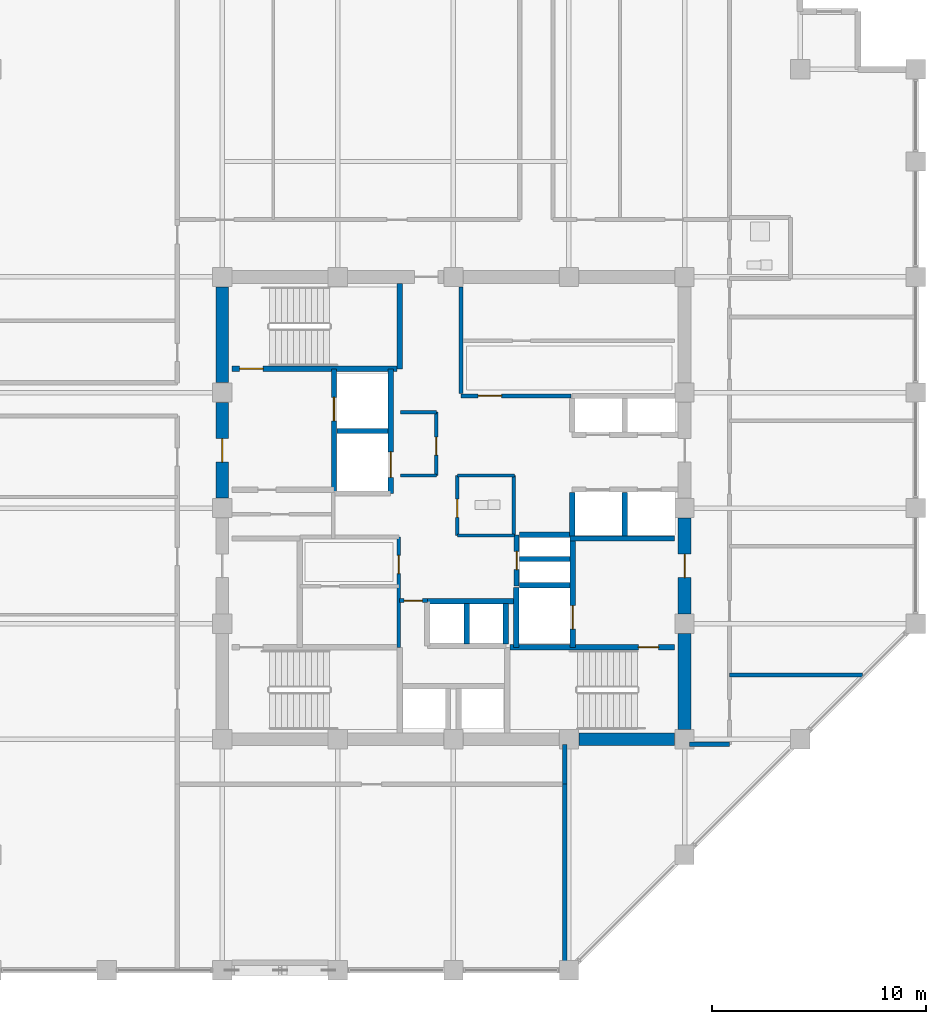
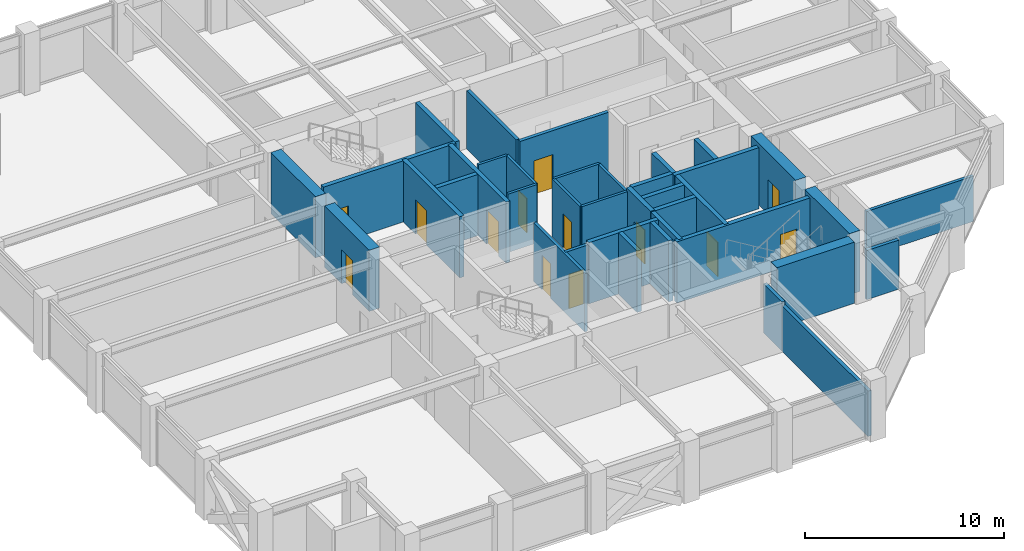
# One storey, part 28 of 32: 38 walls, 13 doors, 13 openings.
"""IFC4 building model written with IfcOpenShell, lengths in metres."""

from ifc_helpers import new_model, si_unit, direction, frame, frame_2d, origin, place, context, subcontext, project, spatial, rectangle, extrude, material, layer, layer_set, type_object, element, fill, save


model = new_model("IFC4")

# Units and contexts
model_context = context("Model", 3, precision=1e-05, world=origin(), true_north=direction((0.0, 1.0)))
body_context = subcontext(model_context, "Body", "Model", "MODEL_VIEW")
ifc_project = project(units=[si_unit("LENGTHUNIT", "METRE"), si_unit("AREAUNIT", "SQUARE_METRE"), si_unit("VOLUMEUNIT", "CUBIC_METRE"), si_unit("PLANEANGLEUNIT", "RADIAN"), si_unit("MASSUNIT", "GRAM", prefix="KILO")], contexts=[model_context])

# Site, building, storey
site_placement = place(None, origin())
site = spatial("IfcSite", under=ifc_project, at=site_placement, CompositionType="ELEMENT")
building_placement = place(site_placement, origin())
building = spatial("IfcBuilding", under=site, at=building_placement, Name="Surkhivell Harbour Commons", CompositionType="ELEMENT")
storey_placement = place(building_placement, frame((0.0, 0.0, 201.0)))
storey = spatial("IfcBuildingStorey", under=building, at=storey_placement, Name="L52", CompositionType="ELEMENT", Elevation=201.0)

# Wall
ifc_material_1 = material(Name="Concrete C60/75", Category="concrete")
ifc_layer_1 = layer(ifc_material_1, 0.60009765625)
ifc_layer_set_1 = layer_set([ifc_layer_1], Name="Concrete C60/75")
wall_type_1 = type_object("IfcWallType", Name="WAL-CORE-600", PredefinedType="SHEAR", material=ifc_layer_set_1)
wall_1_placement = place(storey_placement, frame((10.800048828125, -10.340087890625, 0.0), z_axis=(0.0, 0.0, 1.0), x_axis=(0.0, 1.0, 0.0)))
element("IfcWall", 1, at=wall_1_placement, inside=storey, type_object=wall_type_1, Name="L52 Core Shear Wall East 1", PredefinedType="SHEAR", context=body_context, shape_type="SweptSolid", body=[
    extrude(rectangle(XDim=4.47998046875, YDim=0.60009765625, at=frame_2d((2.239990234375, 0.0))), origin(), (0.0, 0.0, 1.0), 3.75),
])

# Wall, opening, door
wall_2_placement = place(storey_placement, frame((10.800048828125, -4.93994140625, 0.0), z_axis=(0.0, 0.0, 1.0), x_axis=(0.0, 1.0, 0.0)))
wall_2 = element("IfcWall", 2, at=wall_2_placement, inside=storey, type_object=wall_type_1, Name="L52 Core Shear Wall East 2", PredefinedType="SHEAR", context=body_context, shape_type="SweptSolid", body=[
    extrude(rectangle(XDim=4.47998046875, YDim=0.60009765625, at=frame_2d((2.239990234375, 0.0))), origin(), (0.0, 0.0, 1.0), 3.75),
])
opening_1_placement = place(wall_2_placement, frame((1.68994140625, 0.0, 0.0)))
opening_1 = element("IfcOpeningElement", 3, at=opening_1_placement, cuts=wall_2, Name="Opening ID-1", PredefinedType="OPENING", context=body_context, shape_type="SweptSolid", body=[
    extrude(rectangle(XDim=1.10009765625, YDim=2.10009765625, at=frame_2d((0.550048828125, 1.050048828125))), frame((0.0, 0.31005859375, 0.0), z_axis=(0.0, -1.0, 0.0), x_axis=(1.0, 0.0, 0.0)), (0.0, 0.0, 1.0), 0.6201171875),
])
ifc_material_2 = material(Name="Hardwood-veneered fire-rated door leaf", Category="wood")
door_type_1 = type_object("IfcDoorType", Name="DOR-FD120-1100", OperationType="NOTDEFINED", PredefinedType="DOOR", material=ifc_material_2)
door_1_placement = place(opening_1_placement, origin())
door_1 = element("IfcDoor", 4, at=door_1_placement, inside=storey, type_object=door_type_1, Name="L52 Firefighting Lobby 2 Corridor Door", OperationType="SINGLE_SWING_RIGHT", OverallHeight=2.10009765625, OverallWidth=1.10009765625, PredefinedType="DOOR", context=body_context, shape_type="SweptSolid", body=[
    extrude(rectangle(XDim=1.10009765625, YDim=2.10009765625, at=frame_2d((0.550048828125, 1.050048828125))), frame((0.0, 0.02490234375, 0.0), z_axis=(0.0, -1.0, 0.0), x_axis=(1.0, 0.0, 0.0)), (0.0, 0.0, 1.0), 0.050048828125),
])
fill(opening_1, door_1)

wall_3_placement = place(storey_placement, frame((-10.800048828125, 0.4599609375, 0.0), z_axis=(0.0, 0.0, 1.0), x_axis=(0.0, 1.0, 0.0)))
wall_3 = element("IfcWall", 5, at=wall_3_placement, inside=storey, type_object=wall_type_1, Name="L52 Core Shear Wall West 3", PredefinedType="SHEAR", context=body_context, shape_type="SweptSolid", body=[
    extrude(rectangle(XDim=4.47998046875, YDim=0.60009765625, at=frame_2d((2.239990234375, 0.0))), origin(), (0.0, 0.0, 1.0), 3.75),
])
opening_2_placement = place(wall_3_placement, frame((1.68994140625, 0.0, 0.0)))
opening_2 = element("IfcOpeningElement", 6, at=opening_2_placement, cuts=wall_3, Name="Opening ID-1", PredefinedType="OPENING", context=body_context, shape_type="SweptSolid", body=[
    extrude(rectangle(XDim=1.10009765625, YDim=2.10009765625, at=frame_2d((0.550048828125, 1.050048828125))), frame((0.0, 0.31005859375, 0.0), z_axis=(0.0, -1.0, 0.0), x_axis=(1.0, 0.0, 0.0)), (0.0, 0.0, 1.0), 0.6201171875),
])
door_2_placement = place(opening_2_placement, origin())
door_2 = element("IfcDoor", 7, at=door_2_placement, inside=storey, type_object=door_type_1, Name="L52 Firefighting Lobby 1 Corridor Door", OperationType="SINGLE_SWING_LEFT", OverallHeight=2.10009765625, OverallWidth=1.10009765625, PredefinedType="DOOR", context=body_context, shape_type="SweptSolid", body=[
    extrude(rectangle(XDim=1.10009765625, YDim=2.10009765625, at=frame_2d((0.550048828125, 1.050048828125))), frame((0.0, 0.02490234375, 0.0), z_axis=(0.0, -1.0, 0.0), x_axis=(1.0, 0.0, 0.0)), (0.0, 0.0, 1.0), 0.050048828125),
])
fill(opening_2, door_2)

# Walls
for number, where, z_axis, x_axis, name in (
    (8, (5.860107421875, -10.800048828125, 0.0), (0.0, 0.0, 1.0), (1.0, 0.0, 0.0), "L52 Core Shear Wall South 4"),
    (9, (-10.800048828125, 5.860107421875, 0.0), (0.0, 0.0, 1.0), (0.0, 1.0, 0.0), "L52 Core Shear Wall West 4"),
):
    element("IfcWall", number, at=place(storey_placement, frame(where, z_axis=z_axis, x_axis=x_axis)), inside=storey, type_object=wall_type_1, Name=name, PredefinedType="SHEAR", context=body_context, shape_type="SweptSolid", body=[
        extrude(rectangle(XDim=4.47998046875, YDim=0.60009765625, at=frame_2d((2.239990234375, 0.0))), origin(), (0.0, 0.0, 1.0), 3.75),
    ])
ifc_material_3 = material(Name="Twin-stud acoustic fireboard partition", Category="other")
ifc_layer_2 = layer(ifc_material_3, 0.14990234375)
ifc_layer_set_2 = layer_set([ifc_layer_2], Name="Twin-stud acoustic fireboard partition")
wall_type_2 = type_object("IfcWallType", Name="WAL-INT-150", PredefinedType="PARTITIONING", material=ifc_layer_set_2)
wall_4_placement = place(storey_placement, frame((2.820068359375, -1.25, 0.0), z_axis=(0.0, 0.0, 1.0), x_axis=(0.0, 1.0, 0.0)))
element("IfcWall", 10, at=wall_4_placement, inside=storey, type_object=wall_type_2, Name="L52 Core WC East Wall", PredefinedType="PARTITIONING", context=body_context, shape_type="SweptSolid", body=[
    extrude(rectangle(XDim=2.77001953125, YDim=0.14990234375, at=frame_2d((1.385009765625, 0.0))), origin(), (0.0, 0.0, 1.0), 3.570068359375),
])
for number, where, z_axis, x_axis, name in (
    (11, (0.179931640625, 1.52001953125, 0.0), (0.0, 0.0, 1.0), (1.0, 0.0, 0.0), "L52 Core WC North Wall"),
    (12, (0.179931640625, -1.280029296875, 0.0), (0.0, 0.0, 1.0), (1.0, 0.0, 0.0), "L52 Core WC South Wall"),
):
    element("IfcWall", number, at=place(storey_placement, frame(where, z_axis=z_axis, x_axis=x_axis)), inside=storey, type_object=wall_type_2, Name=name, PredefinedType="PARTITIONING", context=body_context, shape_type="SweptSolid", body=[
        extrude(rectangle(XDim=2.670166015625, YDim=0.14990234375, at=frame_2d((1.3349609375, 0.0))), origin(), (0.0, 0.0, 1.0), 3.570068359375),
    ])

# Wall, opening, door
wall_5_placement = place(storey_placement, frame((0.179931640625, -1.280029296875, 0.0), z_axis=(0.0, 0.0, 1.0), x_axis=(0.0, 1.0, 0.0)))
wall_5 = element("IfcWall", 13, at=wall_5_placement, inside=storey, type_object=wall_type_2, Name="L52 Core Accessible WC West Wall", PredefinedType="PARTITIONING", context=body_context, shape_type="SweptSolid", body=[
    extrude(rectangle(XDim=2.800048828125, YDim=0.14990234375, at=frame_2d((1.39990234375, 0.0))), origin(), (0.0, 0.0, 1.0), 3.570068359375),
])
opening_3_placement = place(wall_5_placement, frame((0.85009765625, 0.0, 0.0)))
opening_3 = element("IfcOpeningElement", 14, at=opening_3_placement, cuts=wall_5, Name="Opening ID-6", PredefinedType="OPENING", context=body_context, shape_type="SweptSolid", body=[
    extrude(rectangle(XDim=0.85009765625, YDim=2.10009765625, at=frame_2d((0.425048828125, 1.050048828125))), frame((0.0, 0.0849609375, 0.0), z_axis=(0.0, -1.0, 0.0), x_axis=(1.0, 0.0, 0.0)), (0.0, 0.0, 1.0), 0.169921875),
])
door_type_2 = type_object("IfcDoorType", Name="DOR-FD30-850", OperationType="NOTDEFINED", PredefinedType="DOOR", material=ifc_material_2)
door_3_placement = place(opening_3_placement, origin())
door_3 = element("IfcDoor", 15, at=door_3_placement, inside=storey, type_object=door_type_2, Name="L52 Floor Accessible WC Door", OperationType="SINGLE_SWING_RIGHT", OverallHeight=2.10009765625, OverallWidth=0.85009765625, PredefinedType="DOOR", context=body_context, shape_type="SweptSolid", body=[
    extrude(rectangle(XDim=0.85009765625, YDim=2.10009765625, at=frame_2d((0.425048828125, 1.050048828125))), frame((0.0, 0.02490234375, 0.0), z_axis=(0.0, -1.0, 0.0), x_axis=(1.0, 0.0, 0.0)), (0.0, 0.0, 1.0), 0.050048828125),
])
fill(opening_3, door_3)

wall_6_placement = place(storey_placement, frame((-0.800048828125, 1.52001953125, 0.0), z_axis=(0.0, 0.0, 1.0), x_axis=(0.0, 1.0, 0.0)))
wall_6 = element("IfcWall", 16, at=wall_6_placement, inside=storey, type_object=wall_type_2, Name="L52 Core Seminar East Wall", PredefinedType="PARTITIONING", context=body_context, shape_type="SweptSolid", body=[
    extrude(rectangle(XDim=2.9599609375, YDim=0.14990234375, at=frame_2d((1.47998046875, 0.0))), origin(), (0.0, 0.0, 1.0), 3.570068359375),
])
opening_4_placement = place(wall_6_placement, frame((0.949951171875, 0.0, 0.0)))
opening_4 = element("IfcOpeningElement", 17, at=opening_4_placement, cuts=wall_6, Name="Opening ID-6", PredefinedType="OPENING", context=body_context, shape_type="SweptSolid", body=[
    extrude(rectangle(XDim=0.85009765625, YDim=2.10009765625, at=frame_2d((0.425048828125, 1.050048828125))), frame((0.0, 0.0849609375, 0.0), z_axis=(0.0, -1.0, 0.0), x_axis=(1.0, 0.0, 0.0)), (0.0, 0.0, 1.0), 0.169921875),
])
door_4_placement = place(opening_4_placement, origin())
door_4 = element("IfcDoor", 18, at=door_4_placement, inside=storey, type_object=door_type_2, Name="L52 Central Seminar Door", OperationType="SINGLE_SWING_LEFT", OverallHeight=2.10009765625, OverallWidth=0.85009765625, PredefinedType="DOOR", context=body_context, shape_type="SweptSolid", body=[
    extrude(rectangle(XDim=0.85009765625, YDim=2.10009765625, at=frame_2d((0.425048828125, 1.050048828125))), frame((0.0, 0.02490234375, 0.0), z_axis=(0.0, -1.0, 0.0), x_axis=(1.0, 0.0, 0.0)), (0.0, 0.0, 1.0), 0.050048828125),
])
fill(opening_4, door_4)

# Walls
for number, where, z_axis, x_axis, name in (
    (19, (-2.47998046875, 4.47998046875, 0.0), (0.0, 0.0, 1.0), (1.0, 0.0, 0.0), "L52 Core Seminar North Wall"),
    (20, (-2.47998046875, 1.52001953125, 0.0), (0.0, 0.0, 1.0), (1.0, 0.0, 0.0), "L52 Core Seminar South Wall"),
):
    element("IfcWall", number, at=place(storey_placement, frame(where, z_axis=z_axis, x_axis=x_axis)), inside=storey, type_object=wall_type_2, Name=name, PredefinedType="PARTITIONING", context=body_context, shape_type="SweptSolid", body=[
        extrude(rectangle(XDim=1.679931640625, YDim=0.14990234375, at=frame_2d((0.83984375, 0.0))), origin(), (0.0, 0.0, 1.0), 3.570068359375),
    ])

# Wall, opening, door
ifc_material_4 = material(Name="High-density acoustic blockwork fire partition", Category="masonry")
ifc_layer_3 = layer(ifc_material_4, 0.175048828125)
ifc_layer_set_3 = layer_set([ifc_layer_3], Name="High-density acoustic blockwork fire partition")
wall_type_3 = type_object("IfcWallType", Name="WAL-INT-175", PredefinedType="PARTITIONING", material=ifc_layer_set_3)
wall_7_placement = place(storey_placement, frame((-2.550048828125, -6.510009765625, 0.0), z_axis=(0.0, 0.0, 1.0), x_axis=(0.0, 1.0, 0.0)))
wall_7 = element("IfcWall", 21, at=wall_7_placement, inside=storey, type_object=wall_type_3, Name="L52 Core Service Bay East Wall", PredefinedType="PARTITIONING", context=body_context, shape_type="SweptSolid", body=[
    extrude(rectangle(XDim=5.159912109375, YDim=0.175048828125, at=frame_2d((2.580078125, 0.0))), origin(), (0.0, 0.0, 1.0), 3.570068359375),
])
opening_5_placement = place(wall_7_placement, frame((3.449951171875, 0.0, 0.0)))
opening_5 = element("IfcOpeningElement", 22, at=opening_5_placement, cuts=wall_7, Name="Opening ID-6", PredefinedType="OPENING", context=body_context, shape_type="SweptSolid", body=[
    extrude(rectangle(XDim=0.85009765625, YDim=2.10009765625, at=frame_2d((0.425048828125, 1.050048828125))), frame((0.0, 0.097412109375, 0.0), z_axis=(0.0, -1.0, 0.0), x_axis=(1.0, 0.0, 0.0)), (0.0, 0.0, 1.0), 0.195068359375),
])
door_5_placement = place(opening_5_placement, origin())
door_5 = element("IfcDoor", 23, at=door_5_placement, inside=storey, type_object=door_type_2, Name="L52 Core Seminar Door", OperationType="SINGLE_SWING_LEFT", OverallHeight=2.10009765625, OverallWidth=0.85009765625, PredefinedType="DOOR", context=body_context, shape_type="SweptSolid", body=[
    extrude(rectangle(XDim=0.85009765625, YDim=2.10009765625, at=frame_2d((0.425048828125, 1.050048828125))), frame((0.0, 0.02490234375, 0.0), z_axis=(0.0, -1.0, 0.0), x_axis=(1.0, 0.0, 0.0)), (0.0, 0.0, 1.0), 0.050048828125),
])
fill(opening_5, door_5)

wall_8_placement = place(storey_placement, frame((-2.52001953125, -4.320068359375, 0.0), z_axis=(0.0, 0.0, 1.0), x_axis=(1.0, 0.0, 0.0)))
wall_8 = element("IfcWall", 24, at=wall_8_placement, inside=storey, type_object=wall_type_3, Name="L52 High-Rise Lobby North Portal Wall", PredefinedType="PARTITIONING", context=body_context, shape_type="SweptSolid", body=[
    extrude(rectangle(XDim=1.300048828125, YDim=0.175048828125, at=frame_2d((0.64990234375, 0.0))), origin(), (0.0, 0.0, 1.0), 3.570068359375),
])
opening_6_placement = place(wall_8_placement, frame((0.219970703125, 0.0, 0.0)))
opening_6 = element("IfcOpeningElement", 25, at=opening_6_placement, cuts=wall_8, Name="Opening ID-6", PredefinedType="OPENING", context=body_context, shape_type="SweptSolid", body=[
    extrude(rectangle(XDim=0.85009765625, YDim=2.10009765625, at=frame_2d((0.425048828125, 1.050048828125))), frame((0.0, 0.097412109375, 0.0), z_axis=(0.0, -1.0, 0.0), x_axis=(1.0, 0.0, 0.0)), (0.0, 0.0, 1.0), 0.195068359375),
])
door_6_placement = place(opening_6_placement, origin())
door_6 = element("IfcDoor", 26, at=door_6_placement, inside=storey, type_object=door_type_2, Name="L52 High-Rise Lift Lobby North Door", OperationType="SINGLE_SWING_LEFT", OverallHeight=2.10009765625, OverallWidth=0.85009765625, PredefinedType="DOOR", context=body_context, shape_type="SweptSolid", body=[
    extrude(rectangle(XDim=0.85009765625, YDim=2.10009765625, at=frame_2d((0.425048828125, 1.050048828125))), frame((0.0, 0.02490234375, 0.0), z_axis=(0.0, -1.0, 0.0), x_axis=(1.0, 0.0, 0.0)), (0.0, 0.0, 1.0), 0.050048828125),
])
fill(opening_6, door_6)

# Wall
wall_9_placement = place(storey_placement, frame((12.89990234375, -7.800048828125, 0.0), z_axis=(0.0, 0.0, 1.0), x_axis=(1.0, 0.0, 0.0)))
element("IfcWall", 27, at=wall_9_placement, inside=storey, type_object=wall_type_3, Name="L52 East Partition PBOT", PredefinedType="PARTITIONING", context=body_context, shape_type="SweptSolid", body=[
    extrude(rectangle(XDim=6.21533203125, YDim=0.175048828125, at=frame_2d((3.107666015625, 0.0))), origin(), (0.0, 0.0, 1.0), 2.780029296875),
])

# Wall, opening, door
ifc_material_5 = material(Name="Autoclaved aerated concrete blockwork and fire plaster", Category="masonry")
ifc_layer_4 = layer(ifc_material_5, 0.199951171875)
ifc_layer_set_4 = layer_set([ifc_layer_4], Name="Autoclaved aerated concrete blockwork and fire plaster")
wall_type_4 = type_object("IfcWallType", Name="WAL-INT-200", PredefinedType="PARTITIONING", material=ifc_layer_set_4)
wall_10_placement = place(storey_placement, frame((0.35009765625, 5.239990234375, 0.0), z_axis=(0.0, 0.0, 1.0), x_axis=(1.0, 0.0, 0.0)))
wall_10 = element("IfcWall", 28, at=wall_10_placement, inside=storey, type_object=wall_type_4, Name="L52 Reclaimed Core North Bay South Wall", PredefinedType="PARTITIONING", context=body_context, shape_type="SweptSolid", body=[
    extrude(rectangle(XDim=5.14990234375, YDim=0.199951171875, at=frame_2d((2.574951171875, 0.0))), origin(), (0.0, 0.0, 1.0), 3.570068359375),
])
opening_7_placement = place(wall_10_placement, frame((0.800048828125, 0.0, 0.0)))
opening_7 = element("IfcOpeningElement", 29, at=opening_7_placement, cuts=wall_10, Name="Opening ID-2", PredefinedType="OPENING", context=body_context, shape_type="SweptSolid", body=[
    extrude(rectangle(XDim=1.10009765625, YDim=2.10009765625, at=frame_2d((0.550048828125, 1.050048828125))), frame((0.0, 0.10986328125, 0.0), z_axis=(0.0, -1.0, 0.0), x_axis=(1.0, 0.0, 0.0)), (0.0, 0.0, 1.0), 0.219970703125),
])
door_type_3 = type_object("IfcDoorType", Name="DOR-FD60-1100", OperationType="NOTDEFINED", PredefinedType="DOOR", material=ifc_material_2)
door_7_placement = place(opening_7_placement, origin())
door_7 = element("IfcDoor", 30, at=door_7_placement, inside=storey, type_object=door_type_3, Name="L52 Study Alcove Door", OperationType="SINGLE_SWING_RIGHT", OverallHeight=2.10009765625, OverallWidth=1.10009765625, PredefinedType="DOOR", context=body_context, shape_type="SweptSolid", body=[
    extrude(rectangle(XDim=1.10009765625, YDim=2.10009765625, at=frame_2d((0.550048828125, 1.050048828125))), frame((0.0, 0.02490234375, 0.0), z_axis=(0.0, -1.0, 0.0), x_axis=(1.0, 0.0, 0.0)), (0.0, 0.0, 1.0), 0.050048828125),
])
fill(opening_7, door_7)

# Walls
wall_11_placement = place(storey_placement, frame((0.35009765625, 5.360107421875, 0.0), z_axis=(0.0, 0.0, 1.0), x_axis=(0.0, 1.0, 0.0)))
element("IfcWall", 31, at=wall_11_placement, inside=storey, type_object=wall_type_4, Name="L52 Reclaimed Core North Bay West Wall", PredefinedType="PARTITIONING", context=body_context, shape_type="SweptSolid", body=[
    extrude(rectangle(XDim=4.97998046875, YDim=0.199951171875, at=frame_2d((2.489990234375, 0.0))), origin(), (0.0, 0.0, 1.0), 3.570068359375),
])
wall_12_placement = place(storey_placement, frame((5.199951171875, -21.5400390625, 0.0), z_axis=(0.0, 0.0, 1.0), x_axis=(0.0, 1.0, 0.0)))
element("IfcWall", 32, at=wall_12_placement, inside=storey, type_object=wall_type_4, Name="L52 South-East Corner Wall", PredefinedType="PARTITIONING", context=body_context, shape_type="SweptSolid", body=[
    extrude(rectangle(XDim=8.64013671875, YDim=0.199951171875, at=frame_2d((4.320068359375, 0.0))), origin(), (0.0, 0.0, 1.0), 2.780029296875),
])
for number, where, z_axis, x_axis, name in (
    (33, (11.0400390625, -11.0400390625, 0.0), (0.0, 0.0, 1.0), (1.0, 0.0, 0.0), "L52 Corridor East South Closure Wall"),
    (34, (5.199951171875, -12.89990234375, 0.0), (0.0, 0.0, 1.0), (0.0, 1.0, 0.0), "L52 Corridor South End Wall"),
):
    element("IfcWall", number, at=place(storey_placement, frame(where, z_axis=z_axis, x_axis=x_axis)), inside=storey, type_object=wall_type_4, Name=name, PredefinedType="PARTITIONING", context=body_context, shape_type="SweptSolid", body=[
        extrude(rectangle(XDim=1.85986328125, YDim=0.199951171875, at=frame_2d((0.929931640625, 0.0))), origin(), (0.0, 0.0, 1.0), 3.006103515625),
    ])

# Wall, opening, door
ifc_material_6 = material(Name="Concrete C50/60", Category="concrete")
ifc_layer_5 = layer(ifc_material_6, 0.25)
ifc_layer_set_5 = layer_set([ifc_layer_5], Name="Concrete C50/60")
wall_type_5 = type_object("IfcWallType", Name="WAL-SHAFT-250", PredefinedType="SHEAR", material=ifc_layer_set_5)
wall_13_placement = place(storey_placement, frame((-5.580078125, 0.719970703125, 0.0), z_axis=(0.0, 0.0, 1.0), x_axis=(0.0, 1.0, 0.0)))
wall_13 = element("IfcWall", 35, at=wall_13_placement, inside=storey, type_object=wall_type_5, Name="L52 Firefighting Lobby 1 East Shaft Wall", PredefinedType="SHEAR", context=body_context, shape_type="SweptSolid", body=[
    extrude(rectangle(XDim=5.7900390625, YDim=0.25, at=frame_2d((2.89501953125, 0.0))), origin(), (0.0, 0.0, 1.0), 3.75),
])
opening_8_placement = place(wall_13_placement, frame((3.35009765625, 0.0, 0.0)))
opening_8 = element("IfcOpeningElement", 36, at=opening_8_placement, cuts=wall_13, Name="Opening LD-1", PredefinedType="OPENING", context=body_context, shape_type="SweptSolid", body=[
    extrude(rectangle(XDim=1.10009765625, YDim=2.10009765625, at=frame_2d((0.550048828125, 1.050048828125))), frame((0.0, 0.135009765625, 0.0), z_axis=(0.0, -1.0, 0.0), x_axis=(1.0, 0.0, 0.0)), (0.0, 0.0, 1.0), 0.27001953125),
])
ifc_material_7 = material(Name="Brushed stainless steel S355", Category="steel")
door_type_4 = type_object("IfcDoorType", Name="DOR-LD-1100", OperationType="SLIDING_TO_LEFT", PredefinedType="DOOR", material=ifc_material_7)
door_8_placement = place(opening_8_placement, origin())
door_8 = element("IfcDoor", 37, at=door_8_placement, inside=storey, type_object=door_type_4, Name="L52 Lift Landing Door LD-FFL1", OperationType="SLIDING_TO_LEFT", OverallHeight=2.10009765625, OverallWidth=1.10009765625, PredefinedType="DOOR", context=body_context, shape_type="SweptSolid", body=[
    extrude(rectangle(XDim=1.10009765625, YDim=2.10009765625, at=frame_2d((0.550048828125, 1.050048828125))), frame((0.0, 0.02490234375, 0.0), z_axis=(0.0, -1.0, 0.0), x_axis=(1.0, 0.0, 0.0)), (0.0, 0.0, 1.0), 0.050048828125),
])
fill(opening_8, door_8)

# Walls
wall_14_placement = place(storey_placement, frame((2.929931640625, -6.510009765625, 0.0), z_axis=(0.0, 0.0, 1.0), x_axis=(0.0, 1.0, 0.0)))
element("IfcWall", 38, at=wall_14_placement, inside=storey, type_object=wall_type_5, Name="L52 FFL2 West Shaft Wall", PredefinedType="SHEAR", context=body_context, shape_type="SweptSolid", body=[
    extrude(rectangle(XDim=2.7900390625, YDim=0.25, at=frame_2d((1.39501953125, 0.0))), origin(), (0.0, 0.0, 1.0), 3.75),
])
wall_15_placement = place(storey_placement, frame((5.43994140625, -1.419921875, 0.0), z_axis=(0.0, 0.0, 1.0), x_axis=(1.0, 0.0, 0.0)))
element("IfcWall", 39, at=wall_15_placement, inside=storey, type_object=wall_type_5, Name="L52 Firefighting Lobby 2 North Wall", PredefinedType="SHEAR", context=body_context, shape_type="SweptSolid", body=[
    extrude(rectangle(XDim=4.900146484375, YDim=0.25, at=frame_2d((2.4501953125, 0.0))), origin(), (0.0, 0.0, 1.0), 3.75),
])
wall_16_placement = place(storey_placement, frame((3.080078125, -3.60009765625, 0.0), z_axis=(0.0, 0.0, 1.0), x_axis=(1.0, 0.0, 0.0)))
element("IfcWall", 40, at=wall_16_placement, inside=storey, type_object=wall_type_5, Name="L52 FFL2 North Shaft Wall", PredefinedType="SHEAR", context=body_context, shape_type="SweptSolid", body=[
    extrude(rectangle(XDim=2.369873046875, YDim=0.25, at=frame_2d((1.18505859375, 0.0))), origin(), (0.0, 0.0, 1.0), 3.75),
])

# Wall, opening, door
wall_17_placement = place(storey_placement, frame((5.580078125, -6.510009765625, 0.0), z_axis=(0.0, 0.0, 1.0), x_axis=(0.0, 1.0, 0.0)))
wall_17 = element("IfcWall", 41, at=wall_17_placement, inside=storey, type_object=wall_type_5, Name="L52 Firefighting Lobby 2 West Shaft Wall", PredefinedType="SHEAR", context=body_context, shape_type="SweptSolid", body=[
    extrude(rectangle(XDim=5.090087890625, YDim=0.25, at=frame_2d((2.544921875, 0.0))), origin(), (0.0, 0.0, 1.0), 3.75),
])
opening_9_placement = place(wall_17_placement, frame((0.85009765625, 0.0, 0.0)))
opening_9 = element("IfcOpeningElement", 42, at=opening_9_placement, cuts=wall_17, Name="Opening LD-1", PredefinedType="OPENING", context=body_context, shape_type="SweptSolid", body=[
    extrude(rectangle(XDim=1.10009765625, YDim=2.10009765625, at=frame_2d((0.550048828125, 1.050048828125))), frame((0.0, 0.135009765625, 0.0), z_axis=(0.0, -1.0, 0.0), x_axis=(1.0, 0.0, 0.0)), (0.0, 0.0, 1.0), 0.27001953125),
])
door_9_placement = place(opening_9_placement, origin())
door_9 = element("IfcDoor", 43, at=door_9_placement, inside=storey, type_object=door_type_4, Name="L52 Lift Landing Door LD-FFL2", OperationType="SLIDING_TO_RIGHT", OverallHeight=2.10009765625, OverallWidth=1.10009765625, PredefinedType="DOOR", context=body_context, shape_type="SweptSolid", body=[
    extrude(rectangle(XDim=1.10009765625, YDim=2.10009765625, at=frame_2d((0.550048828125, 1.050048828125))), frame((0.0, 0.02490234375, 0.0), z_axis=(0.0, -1.0, 0.0), x_axis=(1.0, 0.0, 0.0)), (0.0, 0.0, 1.0), 0.050048828125),
])
fill(opening_9, door_9)

# Walls
for number, where, z_axis, x_axis, name in (
    (44, (0.6201171875, -6.340087890625, 0.0), (0.0, 0.0, 1.0), (0.0, 1.0, 0.0), "L52 High-Rise Side Wall N"),
    (45, (2.449951171875, -6.340087890625, 0.0), (0.0, 0.0, 1.0), (0.0, 1.0, 0.0), "L52 High-Rise Side Wall N"),
):
    element("IfcWall", number, at=place(storey_placement, frame(where, z_axis=z_axis, x_axis=x_axis)), inside=storey, type_object=wall_type_5, Name=name, PredefinedType="SHEAR", context=body_context, shape_type="SweptSolid", body=[
        extrude(rectangle(XDim=1.880126953125, YDim=0.25, at=frame_2d((0.93994140625, 0.0))), origin(), (0.0, 0.0, 1.0), 3.75),
    ])
wall_18_placement = place(storey_placement, frame((-1.219970703125, -4.360107421875, 0.0), z_axis=(0.0, 0.0, 1.0), x_axis=(1.0, 0.0, 0.0)))
element("IfcWall", 46, at=wall_18_placement, inside=storey, type_object=wall_type_5, Name="L52 High-Rise North Back Shaft Wall", PredefinedType="SHEAR", context=body_context, shape_type="SweptSolid", body=[
    extrude(rectangle(XDim=4.030029296875, YDim=0.25, at=frame_2d((2.01513671875, 0.0))), origin(), (0.0, 0.0, 1.0), 3.75),
])
for number, where, z_axis, x_axis, name in (
    (47, (5.550048828125, -1.300048828125, 0.0), (0.0, 0.0, 1.0), (0.0, 1.0, 0.0), "L52 Mid-Rise Shaft Side Wall S"),
    (48, (8.0, -1.300048828125, 0.0), (0.0, 0.0, 1.0), (0.0, 1.0, 0.0), "L52 Mid-Rise Shaft Side Wall S"),
):
    element("IfcWall", number, at=place(storey_placement, frame(where, z_axis=z_axis, x_axis=x_axis)), inside=storey, type_object=wall_type_5, Name=name, PredefinedType="SHEAR", context=body_context, shape_type="SweptSolid", body=[
        extrude(rectangle(XDim=2.0400390625, YDim=0.25, at=frame_2d((1.02001953125, 0.0))), origin(), (0.0, 0.0, 1.0), 3.75),
    ])
for number, where, z_axis, x_axis, name in (
    (49, (3.080078125, -2.3798828125, 0.0), (0.0, 0.0, 1.0), (1.0, 0.0, 0.0), "L52 Riser Divider Wall"),
    (50, (3.080078125, -1.25, 0.0), (0.0, 0.0, 1.0), (1.0, 0.0, 0.0), "L52 Riser North Wall"),
):
    element("IfcWall", number, at=place(storey_placement, frame(where, z_axis=z_axis, x_axis=x_axis)), inside=storey, type_object=wall_type_5, Name=name, PredefinedType="SHEAR", context=body_context, shape_type="SweptSolid", body=[
        extrude(rectangle(XDim=2.369873046875, YDim=0.25, at=frame_2d((1.18505859375, 0.0))), origin(), (0.0, 0.0, 1.0), 3.75),
    ])

# Wall, opening, door
wall_19_placement = place(storey_placement, frame((2.949951171875, -3.64990234375, 0.0), z_axis=(0.0, 0.0, 1.0), x_axis=(0.0, 1.0, 0.0)))
wall_19 = element("IfcWall", 51, at=wall_19_placement, inside=storey, type_object=wall_type_5, Name="L52 Riser Shaft West Wall", PredefinedType="SHEAR", context=body_context, shape_type="SweptSolid", body=[
    extrude(rectangle(XDim=2.39990234375, YDim=0.25, at=frame_2d((1.199951171875, 0.0))), origin(), (0.0, 0.0, 1.0), 3.75),
])
opening_10_placement = place(wall_19_placement, frame((0.77490234375, 0.0, 0.0)))
opening_10 = element("IfcOpeningElement", 52, at=opening_10_placement, cuts=wall_19, Name="Opening ID-6", PredefinedType="OPENING", context=body_context, shape_type="SweptSolid", body=[
    extrude(rectangle(XDim=0.85009765625, YDim=2.10009765625, at=frame_2d((0.425048828125, 1.050048828125))), frame((0.0, 0.135009765625, 0.0), z_axis=(0.0, -1.0, 0.0), x_axis=(1.0, 0.0, 0.0)), (0.0, 0.0, 1.0), 0.27001953125),
])
door_10_placement = place(opening_10_placement, origin())
door_10 = element("IfcDoor", 53, at=door_10_placement, inside=storey, type_object=door_type_2, Name="L52 Electrical Riser Access Door", OperationType="SINGLE_SWING_LEFT", OverallHeight=2.10009765625, OverallWidth=0.85009765625, PredefinedType="DOOR", context=body_context, shape_type="SweptSolid", body=[
    extrude(rectangle(XDim=0.85009765625, YDim=2.10009765625, at=frame_2d((0.425048828125, 1.050048828125))), frame((0.0, 0.02490234375, 0.0), z_axis=(0.0, -1.0, 0.0), x_axis=(1.0, 0.0, 0.0)), (0.0, 0.0, 1.0), 0.050048828125),
])
fill(opening_10, door_10)

# Wall
wall_20_placement = place(storey_placement, frame((-2.510009765625, 6.510009765625, 0.0), z_axis=(0.0, 0.0, 1.0), x_axis=(0.0, 1.0, 0.0)))
element("IfcWall", 54, at=wall_20_placement, inside=storey, type_object=wall_type_5, Name="L52 Stair ST1 East Shear Wall", PredefinedType="SHEAR", context=body_context, shape_type="SweptSolid", body=[
    extrude(rectangle(XDim=3.989990234375, YDim=0.25, at=frame_2d((1.9951171875, 0.0))), origin(), (0.0, 0.0, 1.0), 3.75),
])

# Wall, opening, door
wall_21_placement = place(storey_placement, frame((-10.340087890625, 6.510009765625, 0.0), z_axis=(0.0, 0.0, 1.0), x_axis=(1.0, 0.0, 0.0)))
wall_21 = element("IfcWall", 55, at=wall_21_placement, inside=storey, type_object=wall_type_5, Name="L52 Stair ST1 South Shear Wall", PredefinedType="SHEAR", context=body_context, shape_type="SweptSolid", body=[
    extrude(rectangle(XDim=7.7001953125, YDim=0.25, at=frame_2d((3.85009765625, 0.0))), origin(), (0.0, 0.0, 1.0), 3.75),
])
opening_11_placement = place(wall_21_placement, frame((0.35009765625, 0.0, 0.0)))
opening_11 = element("IfcOpeningElement", 56, at=opening_11_placement, cuts=wall_21, Name="Opening ID-2", PredefinedType="OPENING", context=body_context, shape_type="SweptSolid", body=[
    extrude(rectangle(XDim=1.10009765625, YDim=2.10009765625, at=frame_2d((0.550048828125, 1.050048828125))), frame((0.0, 0.135009765625, 0.0), z_axis=(0.0, -1.0, 0.0), x_axis=(1.0, 0.0, 0.0)), (0.0, 0.0, 1.0), 0.27001953125),
])
door_11_placement = place(opening_11_placement, origin())
door_11 = element("IfcDoor", 57, at=door_11_placement, inside=storey, type_object=door_type_3, Name="L52 Stair ST1 Exit Door", OperationType="SINGLE_SWING_LEFT", OverallHeight=2.10009765625, OverallWidth=1.10009765625, PredefinedType="DOOR", context=body_context, shape_type="SweptSolid", body=[
    extrude(rectangle(XDim=1.10009765625, YDim=2.10009765625, at=frame_2d((0.550048828125, 1.050048828125))), frame((0.0, 0.02490234375, 0.0), z_axis=(0.0, -1.0, 0.0), x_axis=(1.0, 0.0, 0.0)), (0.0, 0.0, 1.0), 0.050048828125),
])
fill(opening_11, door_11)

wall_22_placement = place(storey_placement, frame((2.639892578125, -6.510009765625, 0.0), z_axis=(0.0, 0.0, 1.0), x_axis=(1.0, 0.0, 0.0)))
wall_22 = element("IfcWall", 58, at=wall_22_placement, inside=storey, type_object=wall_type_5, Name="L52 Stair ST2 North Shear Wall", PredefinedType="SHEAR", context=body_context, shape_type="SweptSolid", body=[
    extrude(rectangle(XDim=7.7001953125, YDim=0.25, at=frame_2d((3.85009765625, 0.0))), origin(), (0.0, 0.0, 1.0), 3.75),
])
opening_12_placement = place(wall_22_placement, frame((6.0, 0.0, 0.0)))
opening_12 = element("IfcOpeningElement", 59, at=opening_12_placement, cuts=wall_22, Name="Opening ID-4", PredefinedType="OPENING", context=body_context, shape_type="SweptSolid", body=[
    extrude(rectangle(XDim=0.949951171875, YDim=2.10009765625, at=frame_2d((0.47509765625, 1.050048828125))), frame((0.0, 0.135009765625, 0.0), z_axis=(0.0, -1.0, 0.0), x_axis=(1.0, 0.0, 0.0)), (0.0, 0.0, 1.0), 0.27001953125),
])
door_type_5 = type_object("IfcDoorType", Name="DOR-FD60-950", OperationType="NOTDEFINED", PredefinedType="DOOR", material=ifc_material_2)
door_12_placement = place(opening_12_placement, origin())
door_12 = element("IfcDoor", 60, at=door_12_placement, inside=storey, type_object=door_type_5, Name="L52 Stair ST2 Exit Door", OperationType="SINGLE_SWING_RIGHT", OverallHeight=2.10009765625, OverallWidth=0.949951171875, PredefinedType="DOOR", context=body_context, shape_type="SweptSolid", body=[
    extrude(rectangle(XDim=0.949951171875, YDim=2.10009765625, at=frame_2d((0.47509765625, 1.050048828125))), frame((0.0, 0.02490234375, 0.0), z_axis=(0.0, -1.0, 0.0), x_axis=(1.0, 0.0, 0.0)), (0.0, 0.0, 1.0), 0.050048828125),
])
fill(opening_12, door_12)

wall_23_placement = place(storey_placement, frame((-2.929931640625, 0.679931640625, 0.0), z_axis=(0.0, 0.0, 1.0), x_axis=(0.0, 1.0, 0.0)))
wall_23 = element("IfcWall", 61, at=wall_23_placement, inside=storey, type_object=wall_type_5, Name="L52 Service and Fire Lift East Shaft Wall", PredefinedType="SHEAR", context=body_context, shape_type="SweptSolid", body=[
    extrude(rectangle(XDim=5.830078125, YDim=0.25, at=frame_2d((2.9150390625, 0.0))), origin(), (0.0, 0.0, 1.0), 3.75),
])
opening_13_placement = place(wall_23_placement, frame((0.75, 0.0, 0.0)))
opening_13 = element("IfcOpeningElement", 62, at=opening_13_placement, cuts=wall_23, Name="Opening LD-2", PredefinedType="OPENING", context=body_context, shape_type="SweptSolid", body=[
    extrude(rectangle(XDim=1.199951171875, YDim=2.10009765625, at=frame_2d((0.60009765625, 1.050048828125))), frame((0.0, 0.135009765625, 0.0), z_axis=(0.0, -1.0, 0.0), x_axis=(1.0, 0.0, 0.0)), (0.0, 0.0, 1.0), 0.27001953125),
])
door_type_6 = type_object("IfcDoorType", Name="DOR-LD-1200", OperationType="SLIDING_TO_LEFT", PredefinedType="DOOR", material=ifc_material_7)
door_13_placement = place(opening_13_placement, origin())
door_13 = element("IfcDoor", 63, at=door_13_placement, inside=storey, type_object=door_type_6, Name="L52 Lift Landing Door LD-SVL1", OperationType="SLIDING_TO_LEFT", OverallHeight=2.10009765625, OverallWidth=1.199951171875, PredefinedType="DOOR", context=body_context, shape_type="SweptSolid", body=[
    extrude(rectangle(XDim=1.199951171875, YDim=2.10009765625, at=frame_2d((0.60009765625, 1.050048828125))), frame((0.0, 0.02490234375, 0.0), z_axis=(0.0, -1.0, 0.0), x_axis=(1.0, 0.0, 0.0)), (0.0, 0.0, 1.0), 0.050048828125),
])
fill(opening_13, door_13)

# Wall
wall_24_placement = place(storey_placement, frame((-5.449951171875, 3.60009765625, 0.0), z_axis=(0.0, 0.0, 1.0), x_axis=(1.0, 0.0, 0.0)))
element("IfcWall", 64, at=wall_24_placement, inside=storey, type_object=wall_type_5, Name="L52 FFL1/SVL1 Shaft Divider", PredefinedType="SHEAR", context=body_context, shape_type="SweptSolid", body=[
    extrude(rectangle(XDim=2.389892578125, YDim=0.25, at=frame_2d((1.19482421875, 0.0))), origin(), (0.0, 0.0, 1.0), 3.75),
])

save(model, "model.ifc")
